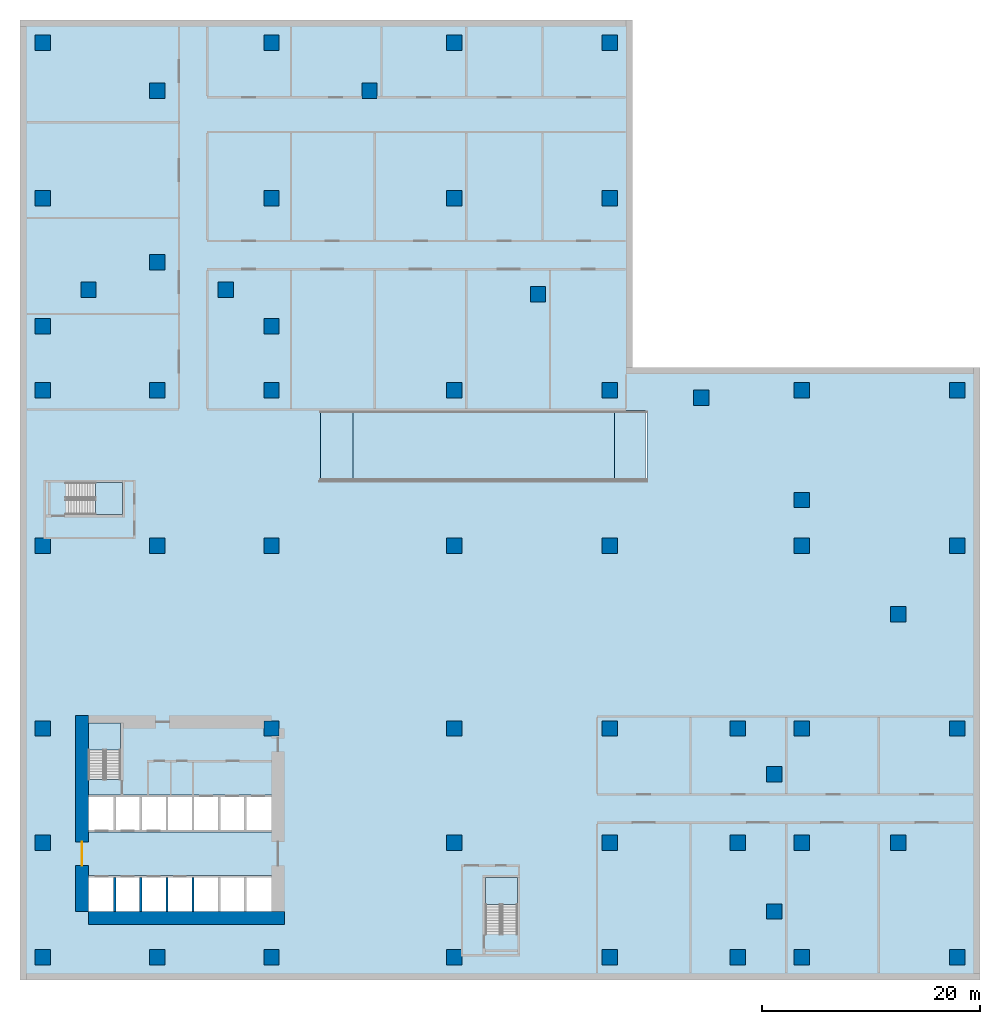
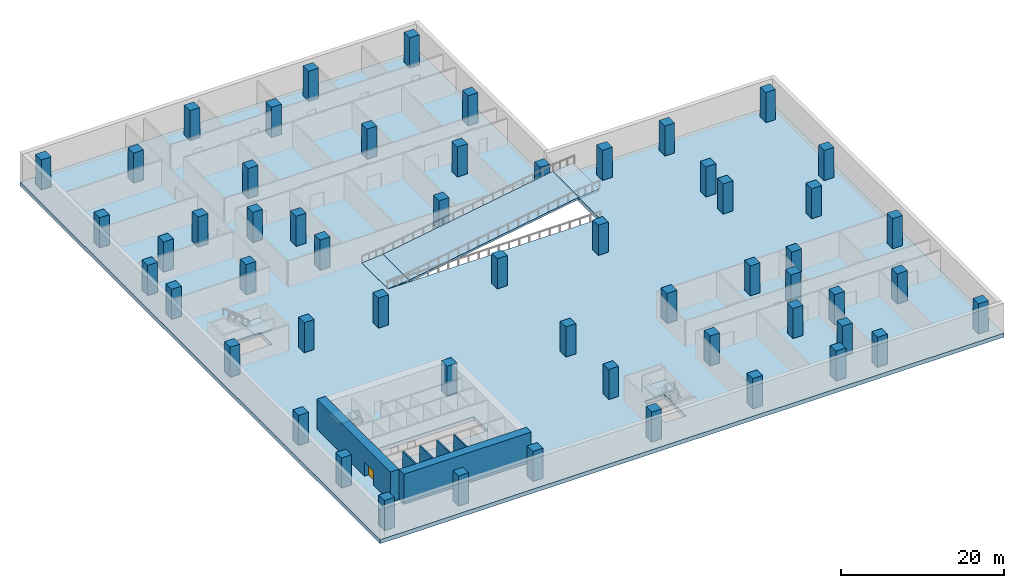
# One storey, part 1 of 12: 56 columns, 7 slabs, 6 walls, 1 door, 1 opening, 3 elements without a shape of their own.
"""IFC4 building model written with IfcOpenShell, lengths in metres."""

import ifcopenshell
import ifcopenshell.guid

model = None  # the IFC model being written
_history = None  # IfcOwnerHistory: only IFC2X3 demands one
_inside = {}  # id of a spatial element -> (the spatial element, [elements in it])
_under = {}  # id of a project, library or spatial element -> (it, [spatial elements below it])
_declared = {}  # id of a project -> (the project, [libraries it declares])
_typed = {}  # id of a type object -> (the type object, [elements of that type])
_made_of = {}  # id of a material, layer set ... -> (it, [elements and type objects made of it])


def new_model(schema):
    """Start an empty IFC model of exactly this schema.

    Asked for "IFC4X3", IfcOpenShell would pick the latest addendum, in which some entities
    have other attributes; the version numbers below select the first issue.
    IFC2X3 requires an IfcOwnerHistory on every rooted entity: one is made here for all.
    """
    global model, _history
    if schema == "IFC4X3":
        model = ifcopenshell.file(schema_version=(4, 3, 0, 0))
    else:
        model = ifcopenshell.file(schema=schema)
    _inside.clear()
    _under.clear()
    _declared.clear()
    _typed.clear()
    _made_of.clear()
    _history = None
    if model.schema == "IFC2X3":
        org = make("IfcOrganization", Name="unknown")
        user = make(
            "IfcPersonAndOrganization",
            ThePerson=make("IfcPerson", FamilyName="unknown"),
            TheOrganization=org,
        )
        app = make(
            "IfcApplication",
            ApplicationDeveloper=org,
            Version="unknown",
            ApplicationFullName="unknown",
            ApplicationIdentifier="unknown",
        )
        _history = make(
            "IfcOwnerHistory",
            OwningUser=user,
            OwningApplication=app,
            ChangeAction="ADDED",
            CreationDate=0,
        )
    return model


def make(cls, **values):
    """One entity of the class cls with the attributes given. An attribute that is None is left unset."""
    return model.create_entity(
        cls, **{name: value for name, value in values.items() if value is not None}
    )


def rooted(cls, **values):
    """An entity with a GlobalId (a new one), such as an element, a storey or a relation."""
    return make(cls, GlobalId=ifcopenshell.guid.new(), OwnerHistory=_history, **values)


def si_unit(unit_type, name, prefix=None):
    """IfcSIUnit, for example si_unit("LENGTHUNIT", "METRE", prefix="MILLI")."""
    return make("IfcSIUnit", UnitType=unit_type, Prefix=prefix, Name=name)


def assignment(units):
    """IfcUnitAssignment: the units of a project."""
    return None if units is None else make("IfcUnitAssignment", Units=units)


def point(xyz):
    """IfcCartesianPoint."""
    return None if xyz is None else make("IfcCartesianPoint", Coordinates=xyz)


def direction(xyz):
    """IfcDirection."""
    return None if xyz is None else make("IfcDirection", DirectionRatios=xyz)


def frame(location, z_axis=None, x_axis=None):
    """IfcAxis2Placement3D, a coordinate frame: its origin and axes. An axis left out is left unset."""
    return make(
        "IfcAxis2Placement3D",
        Location=point(location),
        Axis=direction(z_axis),
        RefDirection=direction(x_axis),
    )


def frame_2d(location, x_axis=None):
    """IfcAxis2Placement2D, a coordinate frame in the plane: its origin and x axis."""
    return make(
        "IfcAxis2Placement2D", Location=point(location), RefDirection=direction(x_axis)
    )


def origin():
    """The frame at (0, 0, 0) with its axes left unset."""
    return frame((0.0, 0.0, 0.0))


def origin_2d():
    """The frame at (0, 0) in the plane with its x axis left unset."""
    return frame_2d((0.0, 0.0))


def place(relative_to, where):
    """IfcLocalPlacement: puts the frame where relative to a parent placement (None: the world)."""
    return make(
        "IfcLocalPlacement", PlacementRelTo=relative_to, RelativePlacement=where
    )


def context(
    kind, dimensions, precision=None, world=None, true_north=None, identifier=None
):
    """IfcGeometricRepresentationContext, for example the 3D "Model" context."""
    return make(
        "IfcGeometricRepresentationContext",
        ContextIdentifier=identifier,
        ContextType=kind,
        CoordinateSpaceDimension=dimensions,
        Precision=precision,
        WorldCoordinateSystem=world,
        TrueNorth=true_north,
    )


def subcontext(parent, identifier, kind, view, scale=None):
    """IfcGeometricRepresentationSubContext, for example "Body" below "Model"."""
    return make(
        "IfcGeometricRepresentationSubContext",
        ContextIdentifier=identifier,
        ContextType=kind,
        ParentContext=parent,
        TargetScale=scale,
        TargetView=view,
    )


def project(units=None, contexts=None):
    """IfcProject with its units and contexts."""
    return rooted(
        "IfcProject",
        Name="project",
        RepresentationContexts=contexts,
        UnitsInContext=assignment(units),
    )


def spatial(cls, under=None, at=None, **own):
    """A site, building, storey or space (cls), placed at a placement, below another one or the project."""
    s = rooted(cls, ObjectPlacement=at, **own)
    if under is not None:
        _under.setdefault(under.id(), (under, []))[1].append(s)
    return s


def polyline(points):
    """IfcPolyline through the points."""
    return make("IfcPolyline", Points=[point(p) for p in points])


def profile(cls, at=None, kind="AREA", **sizes):
    """A parametric profile (cls). Its sizes go by their IFC names, for example OverallWidth=200.0."""
    return make(cls, ProfileType=kind, Position=at, **sizes)


def rectangle(**sizes):
    """IfcRectangleProfileDef."""
    return profile("IfcRectangleProfileDef", **sizes)


def outline(outer, holes=None, kind="AREA"):
    """IfcArbitraryClosedProfileDef: a profile drawn as a closed curve; with holes, ...WithVoids."""
    if holes is None:
        return make("IfcArbitraryClosedProfileDef", ProfileType=kind, OuterCurve=outer)
    return make(
        "IfcArbitraryProfileDefWithVoids",
        ProfileType=kind,
        OuterCurve=outer,
        InnerCurves=holes,
    )


def extrude(swept, where, along, depth):
    """IfcExtrudedAreaSolid: the profile swept, set in the frame where, extruded along a direction by depth."""
    return make(
        "IfcExtrudedAreaSolid",
        SweptArea=swept,
        Position=where,
        ExtrudedDirection=direction(along),
        Depth=depth,
    )


def shape(context_of_items, identifier, shape_type, items):
    """IfcShapeRepresentation: the items that make up one representation, for example the "Body"."""
    return make(
        "IfcShapeRepresentation",
        ContextOfItems=context_of_items,
        RepresentationIdentifier=identifier,
        RepresentationType=shape_type,
        Items=items,
    )


def source(mapping_origin, context_of_items, identifier, shape_type, items):
    """IfcRepresentationMap: a shape defined once, which mapped items show again and again."""
    return make(
        "IfcRepresentationMap",
        MappingOrigin=mapping_origin,
        MappedRepresentation=shape(context_of_items, identifier, shape_type, items),
    )


def transform(
    local_origin,
    x_axis=None,
    y_axis=None,
    z_axis=None,
    scale=None,
    scale2=None,
    scale3=None,
    uniform=True,
):
    """IfcCartesianTransformationOperator3D, or its non-uniform kind. x_axis, y_axis, z_axis: its Axis1, 2, 3."""
    if uniform:
        return make(
            "IfcCartesianTransformationOperator3D",
            Axis1=direction(x_axis),
            Axis2=direction(y_axis),
            LocalOrigin=point(local_origin),
            Scale=scale,
            Axis3=direction(z_axis),
        )
    return make(
        "IfcCartesianTransformationOperator3DnonUniform",
        Axis1=direction(x_axis),
        Axis2=direction(y_axis),
        LocalOrigin=point(local_origin),
        Scale=scale,
        Axis3=direction(z_axis),
        Scale2=scale2,
        Scale3=scale3,
    )


def mapped(mapping_source, mapping_target):
    """IfcMappedItem: shows the shape of a source again, moved by a transform."""
    return make(
        "IfcMappedItem", MappingSource=mapping_source, MappingTarget=mapping_target
    )


def material(Name=None, Category=None):
    """IfcMaterial."""
    return make("IfcMaterial", Name=Name, Category=Category)


def layer(
    of_material, thickness, ventilated=None, Name=None, Category=None, Priority=None
):
    """IfcMaterialLayer: one layer of a wall or slab, of a material (None: an air gap)."""
    return make(
        "IfcMaterialLayer",
        Material=of_material,
        LayerThickness=thickness,
        IsVentilated=ventilated,
        Name=Name,
        Category=Category,
        Priority=Priority,
    )


def layer_set(layers, Name=None):
    """IfcMaterialLayerSet."""
    return make("IfcMaterialLayerSet", MaterialLayers=layers, LayerSetName=Name)


def material_profile(
    of_material, cross_section, Name=None, Category=None, Priority=None
):
    """IfcMaterialProfile: a cross section and its material."""
    return make(
        "IfcMaterialProfile",
        Name=Name,
        Material=of_material,
        Profile=cross_section,
        Priority=Priority,
        Category=Category,
    )


def profile_set(profiles, Name=None, composite=None):
    """IfcMaterialProfileSet."""
    return make(
        "IfcMaterialProfileSet",
        Name=Name,
        MaterialProfiles=profiles,
        CompositeProfile=composite,
    )


def made_of(thing, what):
    """Note that an element or type object is made of a material, layer set ...; save() writes the relation."""
    if what is not None:
        _made_of.setdefault(what.id(), (what, []))[1].append(thing)
    return thing


def type_object(cls, material=None, **own):
    """A type object (cls), such as IfcWallType, which elements share."""
    return made_of(rooted(cls, **own), material)


def element(
    cls,
    number,
    at=None,
    inside=None,
    cuts=None,
    type_object=None,
    material=None,
    context=None,
    identifier="Body",
    shape_type=None,
    held_by="IfcProductDefinitionShape",
    body=None,
    shapes=None,
    **own,
):
    """One element of the class cls, such as IfcWall. Its Tag is "e" and its number.

    at: its placement. inside: the storey or other place that contains it. cuts: it is an
    opening in that element (IfcRelVoidsElement). A single representation is given by context,
    identifier, shape_type and body (its items); several are given by shapes. held_by: the class
    of the entity that holds the representations. save() writes the other relations.
    """
    e = rooted(cls, Tag="e%d" % number, ObjectPlacement=at, **own)
    if body is not None:
        shapes = [shape(context, identifier, shape_type, body)]
    if shapes is not None:
        e.Representation = make(held_by, Representations=shapes)
    if inside is not None:
        _inside.setdefault(inside.id(), (inside, []))[1].append(e)
    if cuts is not None:
        rooted(
            "IfcRelVoidsElement", RelatingBuildingElement=cuts, RelatedOpeningElement=e
        )
    if type_object is not None:
        _typed.setdefault(type_object.id(), (type_object, []))[1].append(e)
    return made_of(e, material)


def fill(opening, filler):
    """IfcRelFillsElement: the door or window that sits in an opening."""
    return rooted(
        "IfcRelFillsElement",
        RelatingOpeningElement=opening,
        RelatedBuildingElement=filler,
    )


def aggregate(whole, parts):
    """IfcRelAggregates: a whole, such as a stair, and the parts it consists of."""
    return rooted("IfcRelAggregates", RelatingObject=whole, RelatedObjects=parts)


def save(model, path):
    """Write the relations noted so far, then the file.

    IfcRelAggregates (storeys below a building ...), IfcRelContainedInSpatialStructure (elements
    in a storey), IfcRelDefinesByType, IfcRelAssociatesMaterial and IfcRelDeclares: one each for
    every whole, place, type object, material and project.
    """
    for whole, parts in _under.values():
        aggregate(whole, parts)
    for where, things in _inside.values():
        rooted(
            "IfcRelContainedInSpatialStructure",
            RelatedElements=things,
            RelatingStructure=where,
        )
    for kind, things in _typed.values():
        rooted("IfcRelDefinesByType", RelatedObjects=things, RelatingType=kind)
    for what, things in _made_of.values():
        rooted("IfcRelAssociatesMaterial", RelatedObjects=things, RelatingMaterial=what)
    for by, libraries in _declared.values():
        rooted("IfcRelDeclares", RelatingContext=by, RelatedDefinitions=libraries)
    model.write(path)


model = new_model("IFC4")

# Units and contexts
model_context = context("Model", 3, precision=1e-05, world=origin(), true_north=direction((0.0, 1.0)))
body_context = subcontext(model_context, "Body", "Model", "MODEL_VIEW")
ifc_project = project(units=[si_unit("LENGTHUNIT", "METRE"), si_unit("AREAUNIT", "SQUARE_METRE"), si_unit("VOLUMEUNIT", "CUBIC_METRE"), si_unit("PLANEANGLEUNIT", "RADIAN"), si_unit("MASSUNIT", "GRAM", prefix="KILO")], contexts=[model_context])

# Site, building, storey
site_placement = place(None, origin())
site = spatial("IfcSite", under=ifc_project, at=site_placement, CompositionType="ELEMENT")
building_placement = place(site_placement, origin())
building = spatial("IfcBuilding", under=site, at=building_placement, Name="Aurelian Terraces", CompositionType="ELEMENT")
storey_placement = place(building_placement, frame((0.0, 0.0, -9.0)))
storey = spatial("IfcBuildingStorey", under=building, at=storey_placement, Name="B2", CompositionType="ELEMENT", Elevation=-9.0)

# Columns
ifc_material_1 = material(Name="Concrete fc' 83 MPa", Category="concrete")
ifc_material_profile = material_profile(ifc_material_1, rectangle(XDim=1.4, YDim=1.4, at=origin_2d()))
ifc_profile_set = profile_set([ifc_material_profile], Name="Concrete fc' 83 MPa")
column_type = type_object("IfcColumnType", Name="RC COLUMN 1400X1400 FC83", PredefinedType="COLUMN", material=ifc_profile_set)
shared_shape_1 = source(origin(), body_context, "Body", "SweptSolid", [
    extrude(rectangle(XDim=1.4, YDim=1.4, at=origin_2d()), origin(), (0.0, 0.0, 1.0), 4.5),
])
for number, where, z_axis, x_axis, name in (
    (1, (0.0, 0.0, 0.0), (0.0, 0.0, 1.0), (1.0, 0.0, 0.0), "Column 1/A B2"),
    (2, (0.0, 10.5, 0.0), (0.0, 0.0, 1.0), (1.0, 0.0, 0.0), "Column 1/B B2"),
    (3, (0.0, 21.0, 0.0), (0.0, 0.0, 1.0), (1.0, 0.0, 0.0), "Column 1/C B2"),
    (4, (0.0, 37.8, 0.0), (0.0, 0.0, 1.0), (1.0, 0.0, 0.0), "Column 1/E B2"),
    (5, (0.0, 52.08, 0.0), (0.0, 0.0, 1.0), (1.0, 0.0, 0.0), "Column 1/G B2"),
    (6, (0.0, 57.96, 0.0), (0.0, 0.0, 1.0), (1.0, 0.0, 0.0), "Column 1/H B2"),
    (7, (0.0, 69.72, 0.0), (0.0, 0.0, 1.0), (1.0, 0.0, 0.0), "Column 1/J B2"),
    (8, (0.0, 84.0, 0.0), (0.0, 0.0, 1.0), (1.0, 0.0, 0.0), "Column 1/K B2"),
    (9, (4.2, 61.32, 0.0), (0.0, 0.0, 1.0), (1.0, 0.0, 0.0), "Column 4.20/61.32 B2"),
    (10, (10.5, 0.0, 0.0), (0.0, 0.0, 1.0), (1.0, 0.0, 0.0), "Column 2/A B2"),
    (11, (10.5, 37.8, 0.0), (0.0, 0.0, 1.0), (1.0, 0.0, 0.0), "Column 2/E B2"),
    (12, (10.5, 52.08, 0.0), (0.0, 0.0, 1.0), (1.0, 0.0, 0.0), "Column 2/G B2"),
    (13, (10.5, 63.84, 0.0), (0.0, 0.0, 1.0), (1.0, 0.0, 0.0), "Column 2/I B2"),
    (14, (10.5, 79.6, 0.0), (0.0, 0.0, 1.0), (1.0, 0.0, 0.0), "Column 10.50/79.60 B2"),
    (15, (16.8, 61.32, 0.0), (0.0, 0.0, 1.0), (1.0, 0.0, 0.0), "Column 16.80/61.32 B2"),
    (16, (21.0, 0.0, 0.0), (0.0, 0.0, 1.0), (1.0, 0.0, 0.0), "Column 3/A B2"),
    (17, (21.0, 21.0, 0.0), (0.0, 0.0, 1.0), (1.0, 0.0, 0.0), "Column 3/C B2"),
    (18, (21.0, 37.8, 0.0), (0.0, 0.0, 1.0), (1.0, 0.0, 0.0), "Column 3/E B2"),
    (19, (21.0, 52.08, 0.0), (0.0, 0.0, 1.0), (1.0, 0.0, 0.0), "Column 3/G B2"),
    (20, (21.0, 57.96, 0.0), (0.0, 0.0, 1.0), (1.0, 0.0, 0.0), "Column 3/H B2"),
    (21, (21.0, 69.72, 0.0), (0.0, 0.0, 1.0), (1.0, 0.0, 0.0), "Column 3/J B2"),
    (22, (21.0, 84.0, 0.0), (0.0, 0.0, 1.0), (1.0, 0.0, 0.0), "Column 3/K B2"),
    (23, (30.0, 79.6, 0.0), (0.0, 0.0, 1.0), (1.0, 0.0, 0.0), "Column 30.00/79.60 B2"),
    (24, (37.8, 0.0, 0.0), (0.0, 0.0, 1.0), (1.0, 0.0, 0.0), "Column 5/A B2"),
    (25, (37.8, 10.5, 0.0), (0.0, 0.0, 1.0), (1.0, 0.0, 0.0), "Column 5/B B2"),
    (26, (37.8, 21.0, 0.0), (0.0, 0.0, 1.0), (1.0, 0.0, 0.0), "Column 5/C B2"),
    (27, (37.8, 37.8, 0.0), (0.0, 0.0, 1.0), (1.0, 0.0, 0.0), "Column 5/E B2"),
    (28, (37.8, 52.08, 0.0), (0.0, 0.0, 1.0), (1.0, 0.0, 0.0), "Column 5/G B2"),
    (29, (37.8, 69.72, 0.0), (0.0, 0.0, 1.0), (1.0, 0.0, 0.0), "Column 5/J B2"),
    (30, (37.8, 84.0, 0.0), (0.0, 0.0, 1.0), (1.0, 0.0, 0.0), "Column 5/K B2"),
    (31, (45.5, 60.9, 0.0), (0.0, 0.0, 1.0), (1.0, 0.0, 0.0), "Column 45.50/60.90 B2"),
    (32, (52.08, 0.0, 0.0), (0.0, 0.0, 1.0), (1.0, 0.0, 0.0), "Column 7/A B2"),
    (33, (52.08, 10.5, 0.0), (0.0, 0.0, 1.0), (1.0, 0.0, 0.0), "Column 7/B B2"),
    (34, (52.08, 21.0, 0.0), (0.0, 0.0, 1.0), (1.0, 0.0, 0.0), "Column 7/C B2"),
    (35, (52.08, 37.8, 0.0), (0.0, 0.0, 1.0), (1.0, 0.0, 0.0), "Column 7/E B2"),
    (36, (52.08, 52.08, 0.0), (0.0, 0.0, 1.0), (1.0, 0.0, 0.0), "Column 7/G B2"),
    (37, (52.08, 69.72, 0.0), (0.0, 0.0, 1.0), (1.0, 0.0, 0.0), "Column 7/J B2"),
    (38, (52.08, 84.0, 0.0), (0.0, 0.0, 1.0), (1.0, 0.0, 0.0), "Column 7/K B2"),
    (39, (60.5, 51.4, 0.0), (0.0, 0.0, 1.0), (1.0, 0.0, 0.0), "Column 60.50/51.40 B2"),
    (40, (63.84, 0.0, 0.0), (0.0, 0.0, 1.0), (1.0, 0.0, 0.0), "Column 9/A B2"),
    (41, (63.84, 10.5, 0.0), (0.0, 0.0, 1.0), (1.0, 0.0, 0.0), "Column 9/B B2"),
    (42, (63.84, 21.0, 0.0), (0.0, 0.0, 1.0), (1.0, 0.0, 0.0), "Column 9/C B2"),
    (43, (67.2, 4.2, 0.0), (0.0, 0.0, 1.0), (1.0, 0.0, 0.0), "Column 67.20/4.20 B2"),
    (44, (67.2, 16.8, 0.0), (0.0, 0.0, 1.0), (1.0, 0.0, 0.0), "Column 67.20/16.80 B2"),
    (45, (69.72, 0.0, 0.0), (0.0, 0.0, 1.0), (1.0, 0.0, 0.0), "Column 10/A B2"),
    (46, (69.72, 10.5, 0.0), (0.0, 0.0, 1.0), (1.0, 0.0, 0.0), "Column 10/B B2"),
    (47, (69.72, 21.0, 0.0), (0.0, 0.0, 1.0), (1.0, 0.0, 0.0), "Column 10/C B2"),
    (48, (69.72, 37.8, 0.0), (0.0, 0.0, 1.0), (1.0, 0.0, 0.0), "Column 10/E B2"),
    (49, (69.72, 42.0, 0.0), (0.0, 0.0, 1.0), (1.0, 0.0, 0.0), "Column 69.72/42.00 B2"),
    (50, (69.72, 52.08, 0.0), (0.0, 0.0, 1.0), (1.0, 0.0, 0.0), "Column 10/G B2"),
    (51, (78.6, 10.5, 0.0), (0.0, 0.0, 1.0), (1.0, 0.0, 0.0), "Column 78.60/10.50 B2"),
    (52, (78.6, 31.5, 0.0), (0.0, 0.0, 1.0), (1.0, 0.0, 0.0), "Column 78.60/31.50 B2"),
    (53, (84.0, 0.0, 0.0), (0.0, 0.0, 1.0), (1.0, 0.0, 0.0), "Column 11/A B2"),
    (54, (84.0, 21.0, 0.0), (0.0, 0.0, 1.0), (1.0, 0.0, 0.0), "Column 11/C B2"),
    (55, (84.0, 37.8, 0.0), (0.0, 0.0, 1.0), (1.0, 0.0, 0.0), "Column 11/E B2"),
    (56, (84.0, 52.08, 0.0), (0.0, 0.0, 1.0), (1.0, 0.0, 0.0), "Column 11/G B2"),
):
    element("IfcColumn", number, at=place(storey_placement, frame(where, z_axis=z_axis, x_axis=x_axis)), inside=storey, type_object=column_type, Name=name, PredefinedType="COLUMN", context=body_context, shape_type="MappedRepresentation", body=[
        mapped(shared_shape_1, transform((0.0, 0.0, 0.0), scale=1.0)),
    ])

# Slabs
ifc_material_2 = material(Name="Concrete fc' 40 MPa", Category="concrete")
ifc_layer_1 = layer(ifc_material_2, 0.3)
ifc_layer_set_1 = layer_set([ifc_layer_1], Name="CAR PARK RAMP SLAB 300 FC40")
slab_type_1 = type_object("IfcSlabType", Name="CAR PARK RAMP SLAB 300 FC40", PredefinedType="FLOOR", material=ifc_layer_set_1)
slab_1_placement = place(storey_placement, frame((25.5, 43.8, 0.0), z_axis=(0.0, 0.0, 1.0), x_axis=(1.0, 0.0, 0.0)))
element("IfcSlab", 57, at=slab_1_placement, inside=storey, type_object=slab_type_1, Name="Car park ramp R2 slab piece 1", PredefinedType="FLOOR", context=body_context, shape_type="SweptSolid", body=[
    extrude(outline(polyline([(0.0, 0.0), (3.0, 0.25), (3.0, -0.05), (0.0, -0.3), (0.0, 0.0)])), frame((0.0, 6.4, 0.0), z_axis=(0.0, -1.0, 0.0), x_axis=(1.0, 0.0, 0.0)), (0.0, 0.0, 1.0), 6.4),
])
slab_2_placement = place(storey_placement, frame((28.5, 43.8, 0.25), z_axis=(0.0, 0.0, 1.0), x_axis=(1.0, 0.0, 0.0)))
element("IfcSlab", 58, at=slab_2_placement, inside=storey, type_object=slab_type_1, Name="Car park ramp R2 slab piece 2", PredefinedType="FLOOR", context=body_context, shape_type="SweptSolid", body=[
    extrude(outline(polyline([(0.0, 0.0), (24.0, 4.0), (24.0, 3.7), (0.0, -0.3), (0.0, 0.0)])), frame((0.0, 6.4, 0.0), z_axis=(0.0, -1.0, 0.0), x_axis=(1.0, 0.0, 0.0)), (0.0, 0.0, 1.0), 6.4),
])
slab_3_placement = place(storey_placement, frame((52.5, 43.8, 4.25), z_axis=(0.0, 0.0, 1.0), x_axis=(1.0, 0.0, 0.0)))
element("IfcSlab", 59, at=slab_3_placement, inside=storey, type_object=slab_type_1, Name="Car park ramp R2 slab piece 3", PredefinedType="FLOOR", context=body_context, shape_type="SweptSolid", body=[
    extrude(outline(polyline([(0.0, 0.0), (2.8505, 0.2375), (2.8505, -0.0625), (0.0, -0.3), (0.0, 0.0)])), frame((0.0, 6.4, 0.0), z_axis=(0.0, -1.0, 0.0), x_axis=(1.0, 0.0, 0.0)), (0.0, 0.0, 1.0), 6.4),
])
ifc_layer_2 = layer(ifc_material_2, 0.6)
ifc_layer_set_2 = layer_set([ifc_layer_2], Name="PT FLAT PLATE 600")
slab_type_2 = type_object("IfcSlabType", Name="PT FLAT PLATE 600", PredefinedType="FLOOR", material=ifc_layer_set_2)
slab_4_placement = place(storey_placement, frame((0.0, 0.0, -0.6)))
element("IfcSlab", 60, at=slab_4_placement, inside=storey, type_object=slab_type_2, Name="Floor slab P B2", PredefinedType="FLOOR", context=body_context, shape_type="SweptSolid", body=[
    extrude(outline(polyline([(86.1, -2.1), (54.18, -2.1), (-2.1, -2.1), (-2.1, 54.18), (-2.1, 86.1), (54.18, 86.1), (54.18, 54.18), (86.1, 54.18), (86.1, -2.1)]), holes=[polyline([(55.4895, 50.19), (25.5105, 50.19), (25.5105, 43.81), (55.4895, 43.81), (55.4895, 50.19)]), polyline([(40.66, 2.11), (43.59, 2.11), (43.59, 7.29), (40.66, 7.29), (40.66, 2.11)]), polyline([(4.21, 7.49), (4.21, 4.21), (20.99, 4.21), (20.99, 7.49), (4.21, 7.49)]), polyline([(4.21, 14.89), (4.21, 11.51), (20.99, 11.51), (20.99, 14.89), (4.21, 14.89)]), polyline([(7.29, 43.59), (2.11, 43.59), (2.11, 40.66), (7.29, 40.66), (7.29, 43.59)]), polyline([(4.21, 16.31), (7.14, 16.31), (7.14, 21.49), (4.21, 21.49), (4.21, 16.31)])]), origin(), (0.0, 0.0, 1.0), 0.6),
])

# Stair, slab
stair_type = type_object("IfcStairType", Name="Stair 1400", PredefinedType="HALF_TURN_STAIR", material=ifc_material_2)
stair_1_placement = place(storey_placement, origin())
stair_1 = element("IfcStair", 61, at=stair_1_placement, inside=storey, type_object=stair_type, Name="B2 S1", PredefinedType="HALF_TURN_STAIR")
ifc_layer_3 = layer(ifc_material_2, 0.2)
ifc_layer_set_3 = layer_set([ifc_layer_3], Name="Stair landing 200")
slab_type_3 = type_object("IfcSlabType", Name="Stair landing 200", PredefinedType="LANDING", material=ifc_layer_set_3)
shared_shape_2 = source(origin(), body_context, "Body", "SweptSolid", [
    extrude(outline(polyline([(7.15, 19.05), (7.15, 21.5), (4.2, 21.5), (4.2, 19.05), (7.15, 19.05)])), origin(), (0.0, 0.0, 1.0), 0.2),
])
slab_5_placement = place(storey_placement, frame((0.0, 0.0, 2.05)))
slab_5 = element("IfcSlab", 62, at=slab_5_placement, type_object=slab_type_3, Name="S1 landing 1", PredefinedType="LANDING", context=body_context, shape_type="MappedRepresentation", body=[
    mapped(shared_shape_2, transform((0.0, 0.0, 0.0), scale=1.0)),
])
aggregate(stair_1, [slab_5])

stair_2_placement = place(storey_placement, origin())
stair_2 = element("IfcStair", 63, at=stair_2_placement, inside=storey, type_object=stair_type, Name="B2 S2", PredefinedType="HALF_TURN_STAIR")
shared_shape_3 = source(origin(), body_context, "Body", "SweptSolid", [
    extrude(outline(polyline([(43.6, 4.85), (43.6, 7.3), (40.65, 7.3), (40.65, 4.85), (43.6, 4.85)])), origin(), (0.0, 0.0, 1.0), 0.2),
])
slab_6_placement = place(storey_placement, frame((0.0, 0.0, 2.05)))
slab_6 = element("IfcSlab", 64, at=slab_6_placement, type_object=slab_type_3, Name="S2 landing 1", PredefinedType="LANDING", context=body_context, shape_type="MappedRepresentation", body=[
    mapped(shared_shape_3, transform((0.0, 0.0, 0.0), scale=1.0)),
])
aggregate(stair_2, [slab_6])

stair_3_placement = place(storey_placement, origin())
stair_3 = element("IfcStair", 65, at=stair_3_placement, inside=storey, type_object=stair_type, Name="B2 S3", PredefinedType="HALF_TURN_STAIR")
shared_shape_4 = source(origin(), body_context, "Body", "SweptSolid", [
    extrude(outline(polyline([(4.85, 40.65), (7.3, 40.65), (7.3, 43.6), (4.85, 43.6), (4.85, 40.65)])), origin(), (0.0, 0.0, 1.0), 0.2),
])
slab_7_placement = place(storey_placement, frame((0.0, 0.0, 2.05)))
slab_7 = element("IfcSlab", 66, at=slab_7_placement, type_object=slab_type_3, Name="S3 landing 1", PredefinedType="LANDING", context=body_context, shape_type="MappedRepresentation", body=[
    mapped(shared_shape_4, transform((0.0, 0.0, 0.0), scale=1.0)),
])
aggregate(stair_3, [slab_7])

# Wall, opening, door
ifc_layer_4 = layer(ifc_material_1, 1.2)
ifc_layer_set_4 = layer_set([ifc_layer_4], Name="CORE WALL 1200 FC83")
wall_type_1 = type_object("IfcWallType", Name="CORE WALL 1200 FC83", PredefinedType="SHEAR", material=ifc_layer_set_4)
shared_shape_5 = source(origin(), body_context, "Body", "SweptSolid", [
    extrude(rectangle(XDim=18.0, YDim=1.2, at=frame_2d((9.0, 0.0))), origin(), (0.0, 0.0, 1.0), 4.5),
])
wall_1_placement = place(storey_placement, frame((3.6, 4.2, 0.0), z_axis=(0.0, 0.0, 1.0), x_axis=(0.0, 1.0, 0.0)))
wall_1 = element("IfcWall", 67, at=wall_1_placement, inside=storey, type_object=wall_type_1, Name="Core wall W B2", PredefinedType="SHEAR", context=body_context, shape_type="MappedRepresentation", body=[
    mapped(shared_shape_5, transform((0.0, 0.0, 0.0), scale=1.0)),
])
shared_shape_6 = source(origin(), body_context, "Body", "SweptSolid", [
    extrude(rectangle(XDim=2.2, YDim=2.1, at=frame_2d((1.1, 1.05))), frame((0.0, 0.61, 0.0), z_axis=(0.0, -1.0, 0.0), x_axis=(1.0, 0.0, 0.0)), (0.0, 0.0, 1.0), 1.22),
])
opening_placement = place(wall_1_placement, frame((4.2, 0.0, 0.0)))
opening = element("IfcOpeningElement", 68, at=opening_placement, cuts=wall_1, Name="Opening 60121", PredefinedType="OPENING", context=body_context, shape_type="MappedRepresentation", body=[
    mapped(shared_shape_6, transform((0.0, 0.0, 0.0), scale=1.0)),
])
ifc_material_3 = material(Name="Steel door leaf", Category="steel")
door_type = type_object("IfcDoorType", Name="Core double door 2200x2100", OperationType="DOUBLE_DOOR_SINGLE_SWING", PredefinedType="DOOR", material=ifc_material_3)
shared_shape_7 = source(origin(), body_context, "Body", "SweptSolid", [
    extrude(rectangle(XDim=2.2, YDim=2.1, at=frame_2d((1.1, 1.05))), frame((0.0, 0.025, 0.0), z_axis=(0.0, -1.0, 0.0), x_axis=(1.0, 0.0, 0.0)), (0.0, 0.0, 1.0), 0.05),
])
door_placement = place(opening_placement, origin())
door = element("IfcDoor", 69, at=door_placement, inside=storey, type_object=door_type, Name="Core door 60121", OperationType="DOUBLE_DOOR_SINGLE_SWING", OverallHeight=2.1, OverallWidth=2.2, PredefinedType="DOOR", context=body_context, shape_type="MappedRepresentation", body=[
    mapped(shared_shape_7, transform((0.0, 0.0, 0.0), scale=1.0)),
])
fill(opening, door)

# Walls
wall_2_placement = place(storey_placement, frame((4.2, 3.6, 0.0), z_axis=(0.0, 0.0, 1.0), x_axis=(1.0, 0.0, 0.0)))
element("IfcWall", 70, at=wall_2_placement, inside=storey, type_object=wall_type_1, Name="Core wall S B2", PredefinedType="SHEAR", context=body_context, shape_type="MappedRepresentation", body=[
    mapped(shared_shape_5, transform((0.0, 0.0, 0.0), scale=1.0)),
])
ifc_layer_5 = layer(ifc_material_2, 0.2)
ifc_layer_set_5 = layer_set([ifc_layer_5], Name="Lift shaft wall 200")
wall_type_2 = type_object("IfcWallType", Name="Lift shaft wall 200", PredefinedType="SOLIDWALL", material=ifc_layer_set_5)
shared_shape_8 = source(origin(), body_context, "Body", "SweptSolid", [
    extrude(rectangle(XDim=3.1, YDim=0.2, at=frame_2d((1.55, 0.0))), origin(), (0.0, 0.0, 1.0), 4.5),
])
for number, where, z_axis, x_axis, name in (
    (71, (6.6, 4.2, 0.0), (0.0, 0.0, 1.0), (0.0, 1.0, 0.0), "B2 core wall CD-A1"),
    (72, (9.0, 4.2, 0.0), (0.0, 0.0, 1.0), (0.0, 1.0, 0.0), "B2 core wall CD-A2"),
    (73, (11.4, 4.2, 0.0), (0.0, 0.0, 1.0), (0.0, 1.0, 0.0), "B2 core wall CD-A3"),
    (74, (13.8, 4.2, 0.0), (0.0, 0.0, 1.0), (0.0, 1.0, 0.0), "B2 core wall CD-A4"),
):
    element("IfcWall", number, at=place(storey_placement, frame(where, z_axis=z_axis, x_axis=x_axis)), inside=storey, type_object=wall_type_2, Name=name, PredefinedType="SOLIDWALL", context=body_context, shape_type="MappedRepresentation", body=[
        mapped(shared_shape_8, transform((0.0, 0.0, 0.0), scale=1.0)),
    ])

save(model, "model.ifc")
